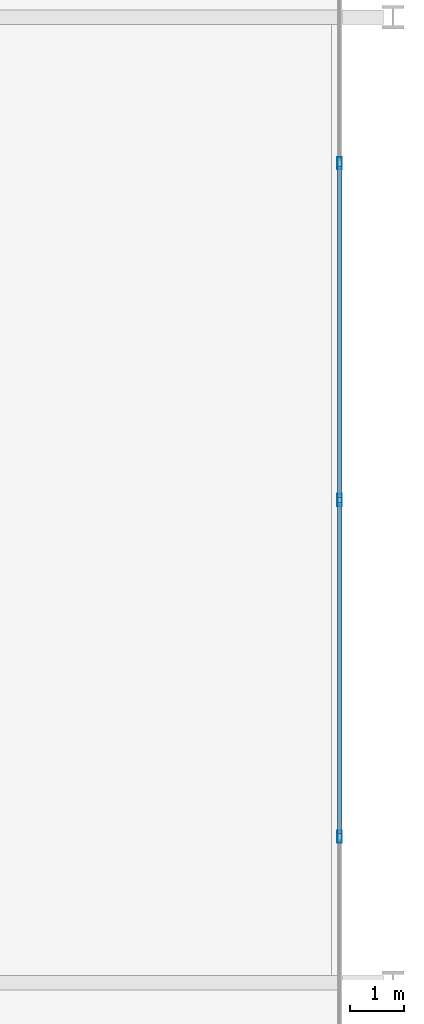
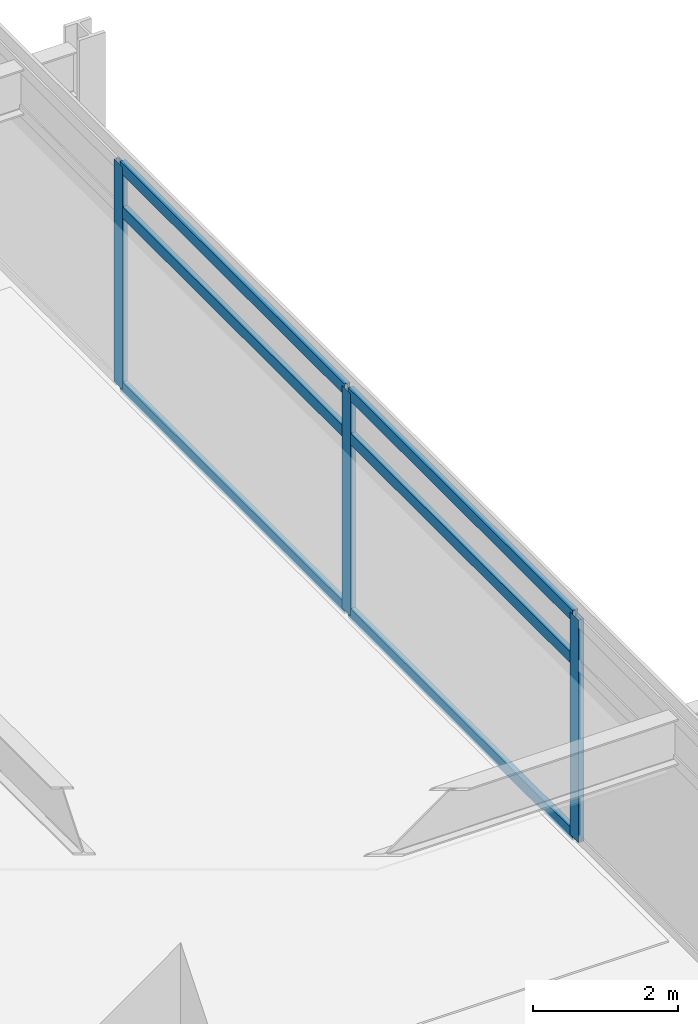
# One storey, part 9 of 21: 9 members, 1 element without a shape of its own.
"""IFC4 building model written with IfcOpenShell, lengths in metres."""

from ifc_helpers import new_model, si_unit, direction, frame, origin, origin_2d, place, context, subcontext, project, spatial, hollow_rectangle, extrude, material, material_profile, profile_set, type_object, element, aggregate, save


model = new_model("IFC4")

# Units and contexts
model_context = context("Model", 3, precision=1e-05, world=origin(), true_north=direction((0.0, 1.0)))
body_context = subcontext(model_context, "Body", "Model", "MODEL_VIEW")
ifc_project = project(units=[si_unit("LENGTHUNIT", "METRE"), si_unit("AREAUNIT", "SQUARE_METRE"), si_unit("VOLUMEUNIT", "CUBIC_METRE"), si_unit("PLANEANGLEUNIT", "RADIAN"), si_unit("MASSUNIT", "GRAM", prefix="KILO")], contexts=[model_context])

# Site, building, storey
site_placement = place(None, origin())
site = spatial("IfcSite", under=ifc_project, at=site_placement, CompositionType="ELEMENT")
building_placement = place(site_placement, origin())
building = spatial("IfcBuilding", under=site, at=building_placement, Name="Kovane Verandah Tower", CompositionType="ELEMENT")
storey_placement = place(building_placement, frame((0.0, 0.0, 152.39990234375)))
storey = spatial("IfcBuildingStorey", under=building, at=storey_placement, Name="L35", CompositionType="ELEMENT", Elevation=152.39990234375)

# Curtain wall, members
ifc_material_1 = material(Name="Champagne Anodised Aluminium Frame with Low-E Clear Laminated Glass", Category="aluminium")
curtain_wall_type = type_object("IfcCurtainWallType", Name="CW-SYS-03-MID", PredefinedType="NOTDEFINED", material=ifc_material_1)
curtain_wall_placement = place(storey_placement, origin())
curtain_wall = element("IfcCurtainWall", 1, at=curtain_wall_placement, inside=storey, type_object=curtain_wall_type, Name="L35 E Unitised Curtain Wall", PredefinedType="NOTDEFINED")
ifc_material_2 = material(Name="Champagne Anodised Aluminium 6063-T6", Category="aluminium")
ifc_material_profile_1 = material_profile(ifc_material_2, hollow_rectangle(XDim=0.0849609375, YDim=0.22998046875, WallThickness=0.00390625, at=origin_2d()), Name="AL85x230x4")
ifc_profile_set_1 = profile_set([ifc_material_profile_1], Name="Champagne Anodised Aluminium 6063-T6")
member_type_1 = type_object("IfcMemberType", Name="CW-MUL-85x230", PredefinedType="MULLION", material=ifc_profile_set_1)
member_1_placement = place(storey_placement, frame((66.60595703125, 21.224365234375, 0.02001953125), z_axis=(0.0, 0.0, 1.0), x_axis=(1.0, 0.0, 0.0)))
member_1 = element("IfcMember", 2, at=member_1_placement, type_object=member_type_1, Name="L35 E Unitised Curtain Wall Mullion 3", PredefinedType="MULLION", context=body_context, shape_type="SweptSolid", body=[
    extrude(hollow_rectangle(XDim=0.0849609375, YDim=0.22998046875, WallThickness=0.00390625, at=origin_2d()), origin(), (0.0, 0.0, 1.0), 3.735107421875),
])
member_2_placement = place(storey_placement, frame((66.60595703125, 27.5, 0.02001953125), z_axis=(0.0, 0.0, 1.0), x_axis=(1.0, 0.0, 0.0)))
member_2 = element("IfcMember", 3, at=member_2_placement, type_object=member_type_1, Name="L35 E Unitised Curtain Wall Mullion 4", PredefinedType="MULLION", context=body_context, shape_type="SweptSolid", body=[
    extrude(hollow_rectangle(XDim=0.0849609375, YDim=0.22998046875, WallThickness=0.00390625, at=origin_2d()), origin(), (0.0, 0.0, 1.0), 3.735107421875),
])
member_3_placement = place(storey_placement, frame((66.60595703125, 33.775634765625, 0.02001953125), z_axis=(0.0, 0.0, 1.0), x_axis=(1.0, 0.0, 0.0)))
member_3 = element("IfcMember", 4, at=member_3_placement, type_object=member_type_1, Name="L35 E Unitised Curtain Wall Mullion 5", PredefinedType="MULLION", context=body_context, shape_type="SweptSolid", body=[
    extrude(hollow_rectangle(XDim=0.0849609375, YDim=0.22998046875, WallThickness=0.00390625, at=origin_2d()), origin(), (0.0, 0.0, 1.0), 3.735107421875),
])
ifc_material_profile_2 = material_profile(ifc_material_2, hollow_rectangle(XDim=0.0849609375, YDim=0.18994140625, WallThickness=0.00390625, at=origin_2d()), Name="AL85x190x4")
ifc_profile_set_2 = profile_set([ifc_material_profile_2], Name="Champagne Anodised Aluminium 6063-T6")
member_type_2 = type_object("IfcMemberType", Name="CW-TRN-85x190", PredefinedType="USERDEFINED", material=ifc_profile_set_2)
member_4_placement = place(storey_placement, frame((66.60595703125, 21.2744140625, 0.050048828125), z_axis=(0.0, 1.0, 0.0), x_axis=(-1.0, 0.0, 0.0)))
member_4 = element("IfcMember", 5, at=member_4_placement, type_object=member_type_2, Name="L35 E Unitised Curtain Wall Transom TB Bay 3", ObjectType="TRANSOM", PredefinedType="USERDEFINED", context=body_context, shape_type="SweptSolid", body=[
    extrude(hollow_rectangle(XDim=0.0849609375, YDim=0.18994140625, WallThickness=0.00390625, at=origin_2d()), origin(), (0.0, 0.0, 1.0), 6.175537109375),
])
member_5_placement = place(storey_placement, frame((66.60595703125, 21.2744140625, 2.9951171875), z_axis=(0.0, 1.0, 0.0), x_axis=(-1.0, 0.0, 0.0)))
member_5 = element("IfcMember", 6, at=member_5_placement, type_object=member_type_2, Name="L35 E Unitised Curtain Wall Transom TM Bay 3", ObjectType="TRANSOM", PredefinedType="USERDEFINED", context=body_context, shape_type="SweptSolid", body=[
    extrude(hollow_rectangle(XDim=0.0849609375, YDim=0.18994140625, WallThickness=0.00390625, at=origin_2d()), origin(), (0.0, 0.0, 1.0), 6.175537109375),
])
member_6_placement = place(storey_placement, frame((66.60595703125, 21.2744140625, 3.72509765625), z_axis=(0.0, 1.0, 0.0), x_axis=(-1.0, 0.0, 0.0)))
member_6 = element("IfcMember", 7, at=member_6_placement, type_object=member_type_2, Name="L35 E Unitised Curtain Wall Transom TT Bay 3", ObjectType="TRANSOM", PredefinedType="USERDEFINED", context=body_context, shape_type="SweptSolid", body=[
    extrude(hollow_rectangle(XDim=0.0849609375, YDim=0.18994140625, WallThickness=0.00390625, at=origin_2d()), origin(), (0.0, 0.0, 1.0), 6.175537109375),
])
member_7_placement = place(storey_placement, frame((66.60595703125, 27.550048828125, 0.050048828125), z_axis=(0.0, 1.0, 0.0), x_axis=(-1.0, 0.0, 0.0)))
member_7 = element("IfcMember", 8, at=member_7_placement, type_object=member_type_2, Name="L35 E Unitised Curtain Wall Transom TB Bay 4", ObjectType="TRANSOM", PredefinedType="USERDEFINED", context=body_context, shape_type="SweptSolid", body=[
    extrude(hollow_rectangle(XDim=0.0849609375, YDim=0.18994140625, WallThickness=0.00390625, at=origin_2d()), origin(), (0.0, 0.0, 1.0), 6.175537109375),
])
member_8_placement = place(storey_placement, frame((66.60595703125, 27.550048828125, 2.9951171875), z_axis=(0.0, 1.0, 0.0), x_axis=(-1.0, 0.0, 0.0)))
member_8 = element("IfcMember", 9, at=member_8_placement, type_object=member_type_2, Name="L35 E Unitised Curtain Wall Transom TM Bay 4", ObjectType="TRANSOM", PredefinedType="USERDEFINED", context=body_context, shape_type="SweptSolid", body=[
    extrude(hollow_rectangle(XDim=0.0849609375, YDim=0.18994140625, WallThickness=0.00390625, at=origin_2d()), origin(), (0.0, 0.0, 1.0), 6.175537109375),
])
member_9_placement = place(storey_placement, frame((66.60595703125, 27.550048828125, 3.72509765625), z_axis=(0.0, 1.0, 0.0), x_axis=(-1.0, 0.0, 0.0)))
member_9 = element("IfcMember", 10, at=member_9_placement, type_object=member_type_2, Name="L35 E Unitised Curtain Wall Transom TT Bay 4", ObjectType="TRANSOM", PredefinedType="USERDEFINED", context=body_context, shape_type="SweptSolid", body=[
    extrude(hollow_rectangle(XDim=0.0849609375, YDim=0.18994140625, WallThickness=0.00390625, at=origin_2d()), origin(), (0.0, 0.0, 1.0), 6.175537109375),
])
aggregate(curtain_wall, [member_1, member_2, member_3, member_4, member_5, member_6, member_7, member_8, member_9])

save(model, "model.ifc")
